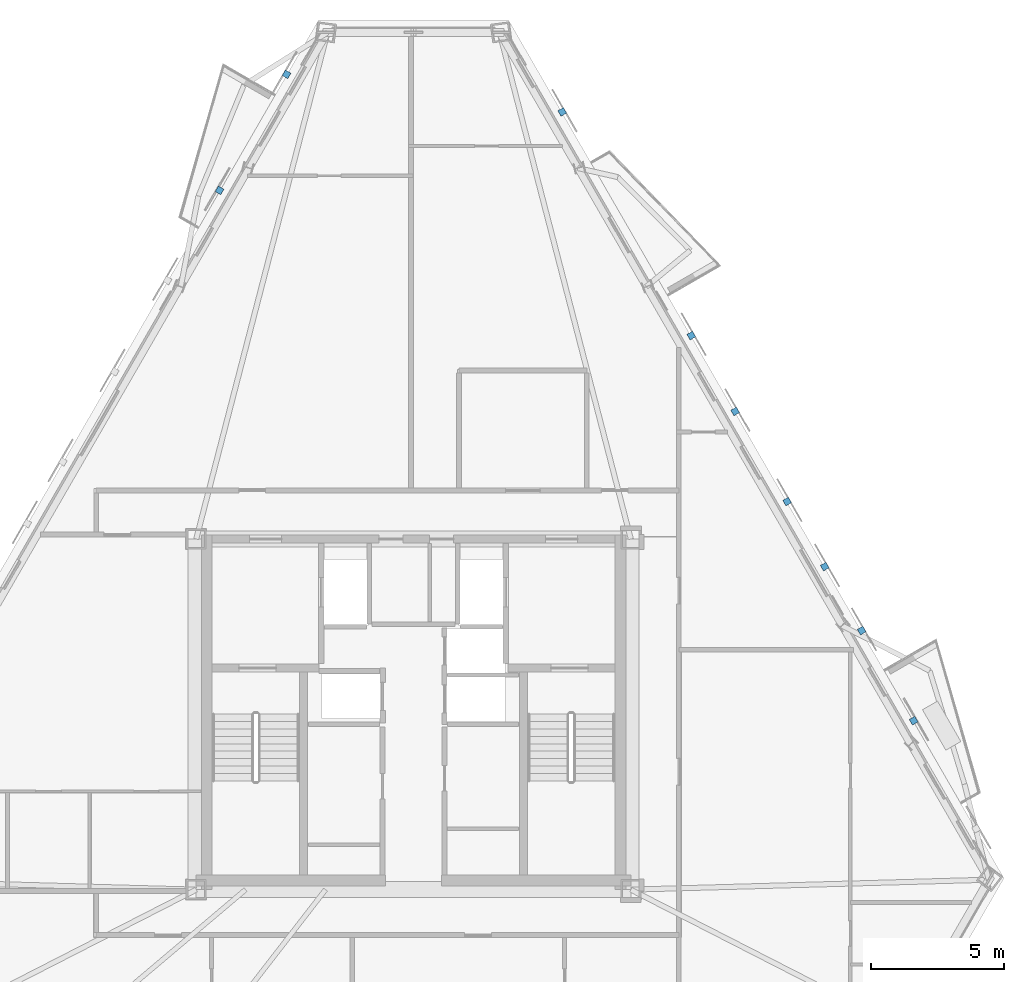
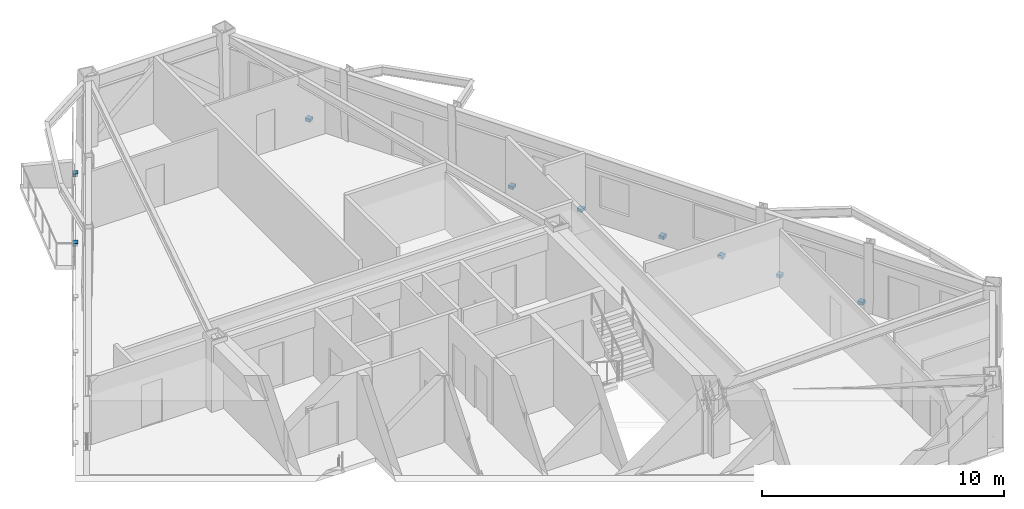
# One storey, part 6 of 9: 9 discrete accessories.
"""IFC4 building model written with IfcOpenShell, lengths in metres."""

from ifc_helpers import new_model, si_unit, direction, frame, origin, origin_2d, place, context, subcontext, project, spatial, rectangle, extrude, element, save


model = new_model("IFC4")

# Units and contexts
model_context = context("Model", 3, precision=1e-05, world=origin(), true_north=direction((0.0, 1.0)))
body_context = subcontext(model_context, "Body", "Model", "MODEL_VIEW")
ifc_project = project(units=[si_unit("LENGTHUNIT", "METRE"), si_unit("AREAUNIT", "SQUARE_METRE"), si_unit("VOLUMEUNIT", "CUBIC_METRE"), si_unit("PLANEANGLEUNIT", "RADIAN"), si_unit("MASSUNIT", "GRAM", prefix="KILO")], contexts=[model_context])

# Site, building, storey
site_placement = place(None, origin())
site = spatial("IfcSite", under=ifc_project, at=site_placement, CompositionType="ELEMENT")
building_placement = place(site_placement, origin())
building = spatial("IfcBuilding", under=site, at=building_placement, Name="Oramaril Tower", CompositionType="ELEMENT")
storey_placement = place(building_placement, frame((0.0, 0.0, 219.89990234375)))
storey = spatial("IfcBuildingStorey", under=building, at=storey_placement, Name="L58", CompositionType="ELEMENT", Elevation=219.89990234375)

# Discrete accessories
for number, where, z_axis, x_axis, name in (
    (1, (56.256591796875, 17.336181640625, -0.1396484375), (0.0, 0.0, 1.0), (-0.4999984885, 0.866026276448, 0.0), "L58 Solar Screen Slab Bracket"),
    (2, (54.306396484375, 20.7138671875, -0.1396484375), (0.0, 0.0, 1.0), (-0.4999984885, 0.866026276448, 0.0), "L58 Solar Screen Slab Bracket"),
    (3, (52.921142578125, 23.11328125, -0.1396484375), (0.0, 0.0, 1.0), (-0.4999984885, 0.866026276448, 0.0), "L58 Solar Screen Slab Bracket"),
    (4, (51.511474609375, 25.554931640625, -0.1396484375), (0.0, 0.0, 1.0), (-0.4999984885, 0.866026276448, 0.0), "L58 Solar Screen Slab Bracket"),
    (5, (49.5615234375, 28.9326171875, -0.1396484375), (0.0, 0.0, 1.0), (-0.4999984885, 0.866026276448, 0.0), "L58 Solar Screen Slab Bracket"),
    (6, (47.91748046875, 31.77978515625, -0.1396484375), (0.0, 0.0, 1.0), (-0.4999984885, 0.866026276448, 0.0), "L58 Solar Screen Slab Bracket"),
    (7, (43.075439453125, 40.16650390625, -0.1396484375), (0.0, 0.0, 1.0), (-0.4999984885, 0.866026276448, 0.0), "L58 Solar Screen Slab Bracket"),
    (8, (30.225341796875, 37.2236328125, -0.1396484375), (0.0, 0.0, 1.0), (-0.4999984885, -0.866026276448, 0.0), "L58 Solar Screen Slab Bracket"),
    (9, (32.73779296875, 41.5751953125, -0.1396484375), (0.0, 0.0, 1.0), (-0.4999984885, -0.866026276448, 0.0), "L58 Solar Screen Slab Bracket"),
):
    element("IfcDiscreteAccessory", number, at=place(storey_placement, frame(where, z_axis=z_axis, x_axis=x_axis)), inside=storey, Name=name, PredefinedType="BRACKET", context=body_context, shape_type="SweptSolid", body=[
        extrude(rectangle(XDim=0.239990234375, YDim=0.239990234375, at=origin_2d()), origin(), (0.0, 0.0, 1.0), 0.159912109375),
    ])

save(model, "model.ifc")
